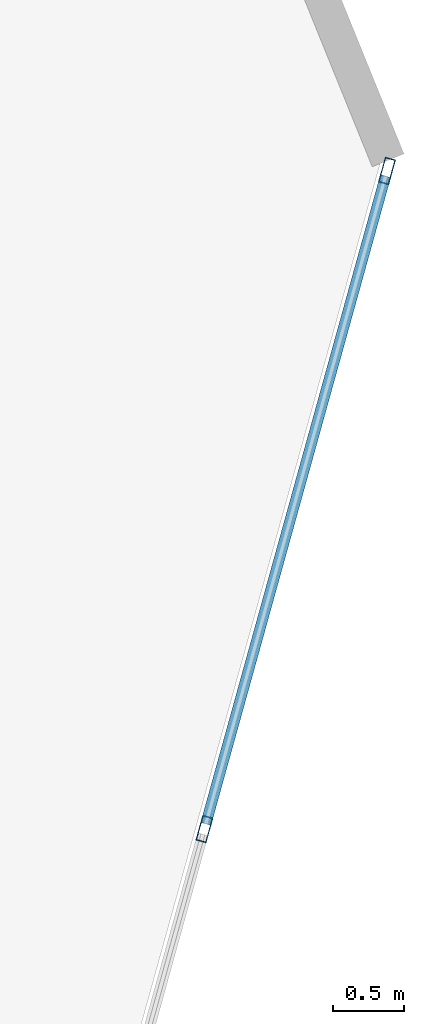
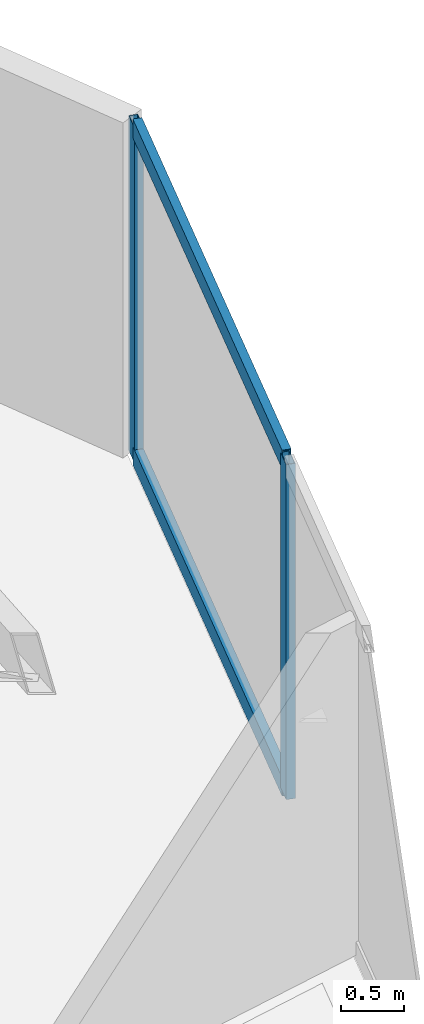
# One storey, part 11 of 19: 4 members, 1 element without a shape of its own.
"""IFC4 building model written with IfcOpenShell, lengths in metres."""

from ifc_helpers import new_model, si_unit, direction, frame, origin, origin_2d, place, context, subcontext, project, spatial, hollow_rectangle, extrude, source, transform, mapped, material, layer, layer_set, material_profile, profile_set, type_object, type_shapes, element, aggregate, save


model = new_model("IFC4")

# Units and contexts
model_context = context("Model", 3, precision=1e-05, world=origin(), true_north=direction((0.0, 1.0)))
body_context = subcontext(model_context, "Body", "Model", "MODEL_VIEW")
ifc_project = project(units=[si_unit("LENGTHUNIT", "METRE"), si_unit("AREAUNIT", "SQUARE_METRE"), si_unit("VOLUMEUNIT", "CUBIC_METRE"), si_unit("PLANEANGLEUNIT", "RADIAN"), si_unit("MASSUNIT", "GRAM", prefix="KILO")], contexts=[model_context])

# Site, building, storey
site_placement = place(None, origin())
site = spatial("IfcSite", under=ifc_project, at=site_placement, CompositionType="ELEMENT")
building_placement = place(site_placement, origin())
building = spatial("IfcBuilding", under=site, at=building_placement, Name="Talar Marvaseh", CompositionType="ELEMENT")
storey_placement = place(building_placement, frame((0.0, 0.0, 181.0)))
storey = spatial("IfcBuildingStorey", under=building, at=storey_placement, Name="L47", CompositionType="ELEMENT", Elevation=181.0)

# Curtain wall, members
ifc_material = material(Name="Architectural Aluminium", Category="aluminium")
ifc_layer = layer(ifc_material, 0.18994140625)
ifc_layer_set = layer_set([ifc_layer], Name="Architectural Aluminium")
curtain_wall_type = type_object("IfcCurtainWallType", Name="Unitised Solar Atelier Curtain Wall Z3", PredefinedType="NOTDEFINED", material=ifc_layer_set)
curtain_wall_placement = place(storey_placement, origin())
curtain_wall = element("IfcCurtainWall", 1, at=curtain_wall_placement, inside=storey, type_object=curtain_wall_type, Name="L47 Unitised Solar Atelier Curtain Wall Z3", PredefinedType="NOTDEFINED")
ifc_material_profile_1 = material_profile(ifc_material, hollow_rectangle(XDim=0.074951171875, YDim=0.179931640625, WallThickness=0.0048828125, at=origin_2d()), Name="RHS180x75x5")
ifc_profile_set_1 = profile_set([ifc_material_profile_1], Name="Architectural Aluminium")
member_type_1 = type_object("IfcMemberType", Name="Unitised Curtain Wall Standard Mullion RHS180x75x5", PredefinedType="MULLION", material=ifc_profile_set_1)
shared_shape_1 = source(origin(), body_context, "Body", "SweptSolid", [
    extrude(hollow_rectangle(XDim=0.074951171875, YDim=0.179931640625, WallThickness=0.0048828125, at=origin_2d()), origin(), (0.0, 0.0, 1.0), 3.22998046875),
])
type_shapes(member_type_1, [shared_shape_1])
member_1_placement = place(storey_placement, frame((43.29638671875, 38.5302734375, 0.0), z_axis=(0.0, 0.0, 1.0), x_axis=(0.963589403746, -0.267386351536, 0.0)))
member_1 = element("IfcMember", 2, at=member_1_placement, type_object=member_type_1, Name="CW-Z3 mullion 1", PredefinedType="MULLION", context=body_context, shape_type="MappedRepresentation", body=[
    mapped(shared_shape_1, transform((0.0, 0.0, 0.0), x_axis=(1.0, 0.0, 0.0), y_axis=(0.0, 1.0, 0.0), z_axis=(0.0, 0.0, 1.0), scale=1.0)),
])
member_2_placement = place(storey_placement, frame((42.016845703125, 33.919921875, 0.0), z_axis=(0.0, 0.0, 1.0), x_axis=(0.963589403746, -0.267386351536, 0.0)))
member_2 = element("IfcMember", 3, at=member_2_placement, type_object=member_type_1, Name="CW-Z3 mullion 2", PredefinedType="MULLION", context=body_context, shape_type="MappedRepresentation", body=[
    mapped(shared_shape_1, transform((0.0, 0.0, 0.0), x_axis=(1.0, 0.0, 0.0), y_axis=(0.0, 1.0, 0.0), z_axis=(0.0, 0.0, 1.0), scale=1.0)),
])
ifc_material_profile_2 = material_profile(ifc_material, hollow_rectangle(XDim=0.074951171875, YDim=0.179931640625, WallThickness=0.0048828125, at=origin_2d()), Name="RHS180x75x5")
ifc_profile_set_2 = profile_set([ifc_material_profile_2], Name="Architectural Aluminium")
member_type_2 = type_object("IfcMemberType", Name="Unitised Curtain Wall Transom RHS180x75x5", PredefinedType="USERDEFINED", material=ifc_profile_set_2)
shared_shape_2 = source(origin(), body_context, "Body", "SweptSolid", [
    extrude(hollow_rectangle(XDim=0.074951171875, YDim=0.179931640625, WallThickness=0.0048828125, at=origin_2d()), origin(), (0.0, 0.0, 1.0), 4.70947265625),
])
type_shapes(member_type_2, [shared_shape_2])
member_3_placement = place(storey_placement, frame((43.2861328125, 38.494140625, 0.03759765625), z_axis=(-0.267387182843, -0.963589173067, 0.0), x_axis=(0.963589173067, -0.267387182843, 0.0)))
member_3 = element("IfcMember", 4, at=member_3_placement, type_object=member_type_2, Name="CW-Z3 transom 1.1", ObjectType="TRANSOM", PredefinedType="USERDEFINED", context=body_context, shape_type="MappedRepresentation", body=[
    mapped(shared_shape_2, transform((0.0, 0.0, 0.0), x_axis=(1.0, 0.0, 0.0), y_axis=(0.0, 1.0, 0.0), z_axis=(0.0, 0.0, 1.0), scale=1.0)),
])
member_4_placement = place(storey_placement, frame((43.2861328125, 38.494140625, 3.1923828125), z_axis=(-0.267387182843, -0.963589173067, 0.0), x_axis=(0.963589173067, -0.267387182843, 0.0)))
member_4 = element("IfcMember", 5, at=member_4_placement, type_object=member_type_2, Name="CW-Z3 transom 1.2", ObjectType="TRANSOM", PredefinedType="USERDEFINED", context=body_context, shape_type="MappedRepresentation", body=[
    mapped(shared_shape_2, transform((0.0, 0.0, 0.0), x_axis=(1.0, 0.0, 0.0), y_axis=(0.0, 1.0, 0.0), z_axis=(0.0, 0.0, 1.0), scale=1.0)),
])
aggregate(curtain_wall, [member_1, member_2, member_3, member_4])

save(model, "model.ifc")
